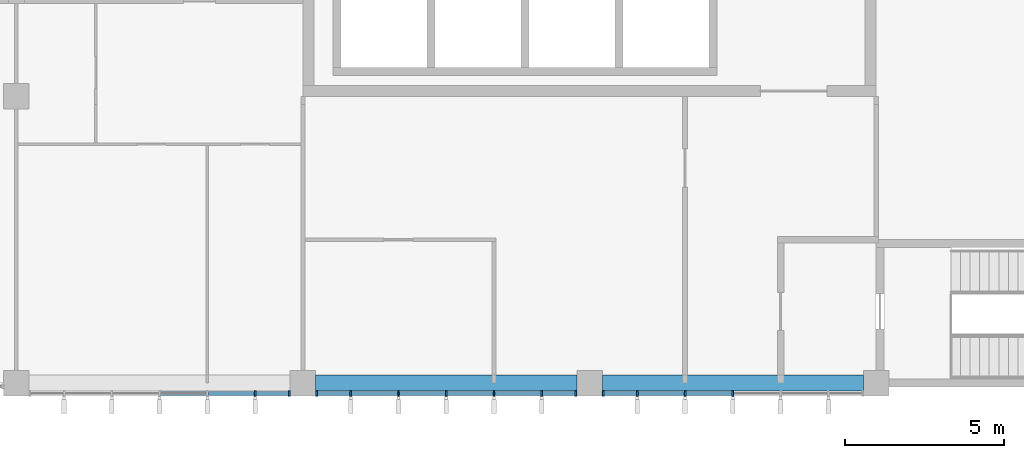
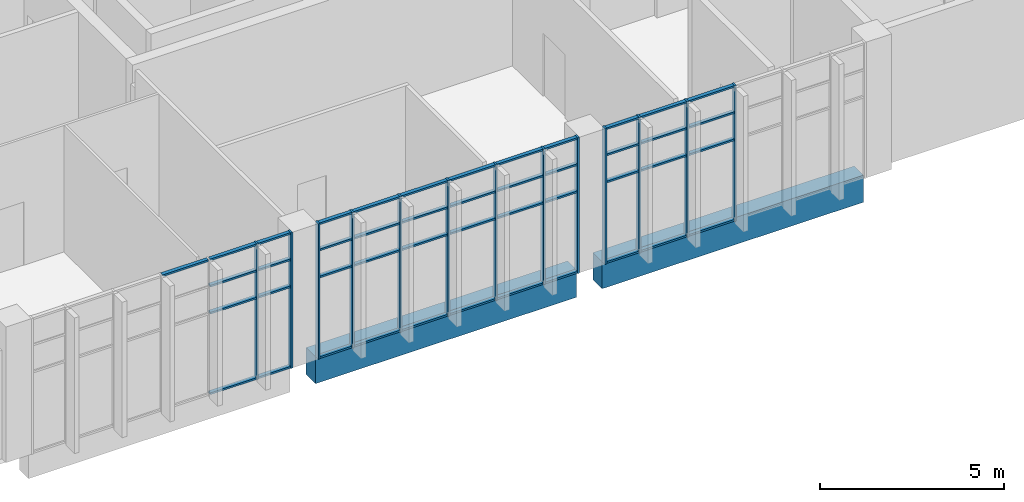
# One storey, part 3 of 19: 58 members, 2 beams, 3 elements without a shape of their own.
"""IFC4 building model written with IfcOpenShell, lengths in metres."""

import ifcopenshell
import ifcopenshell.guid

model = None  # the IFC model being written
_history = None  # IfcOwnerHistory: only IFC2X3 demands one
_inside = {}  # id of a spatial element -> (the spatial element, [elements in it])
_under = {}  # id of a project, library or spatial element -> (it, [spatial elements below it])
_declared = {}  # id of a project -> (the project, [libraries it declares])
_typed = {}  # id of a type object -> (the type object, [elements of that type])
_made_of = {}  # id of a material, layer set ... -> (it, [elements and type objects made of it])


def new_model(schema):
    """Start an empty IFC model of exactly this schema.

    Asked for "IFC4X3", IfcOpenShell would pick the latest addendum, in which some entities
    have other attributes; the version numbers below select the first issue.
    IFC2X3 requires an IfcOwnerHistory on every rooted entity: one is made here for all.
    """
    global model, _history
    if schema == "IFC4X3":
        model = ifcopenshell.file(schema_version=(4, 3, 0, 0))
    else:
        model = ifcopenshell.file(schema=schema)
    _inside.clear()
    _under.clear()
    _declared.clear()
    _typed.clear()
    _made_of.clear()
    _history = None
    if model.schema == "IFC2X3":
        org = make("IfcOrganization", Name="unknown")
        user = make(
            "IfcPersonAndOrganization",
            ThePerson=make("IfcPerson", FamilyName="unknown"),
            TheOrganization=org,
        )
        app = make(
            "IfcApplication",
            ApplicationDeveloper=org,
            Version="unknown",
            ApplicationFullName="unknown",
            ApplicationIdentifier="unknown",
        )
        _history = make(
            "IfcOwnerHistory",
            OwningUser=user,
            OwningApplication=app,
            ChangeAction="ADDED",
            CreationDate=0,
        )
    return model


def make(cls, **values):
    """One entity of the class cls with the attributes given. An attribute that is None is left unset."""
    return model.create_entity(
        cls, **{name: value for name, value in values.items() if value is not None}
    )


def rooted(cls, **values):
    """An entity with a GlobalId (a new one), such as an element, a storey or a relation."""
    return make(cls, GlobalId=ifcopenshell.guid.new(), OwnerHistory=_history, **values)


def si_unit(unit_type, name, prefix=None):
    """IfcSIUnit, for example si_unit("LENGTHUNIT", "METRE", prefix="MILLI")."""
    return make("IfcSIUnit", UnitType=unit_type, Prefix=prefix, Name=name)


def assignment(units):
    """IfcUnitAssignment: the units of a project."""
    return None if units is None else make("IfcUnitAssignment", Units=units)


def point(xyz):
    """IfcCartesianPoint."""
    return None if xyz is None else make("IfcCartesianPoint", Coordinates=xyz)


def direction(xyz):
    """IfcDirection."""
    return None if xyz is None else make("IfcDirection", DirectionRatios=xyz)


def frame(location, z_axis=None, x_axis=None):
    """IfcAxis2Placement3D, a coordinate frame: its origin and axes. An axis left out is left unset."""
    return make(
        "IfcAxis2Placement3D",
        Location=point(location),
        Axis=direction(z_axis),
        RefDirection=direction(x_axis),
    )


def frame_2d(location, x_axis=None):
    """IfcAxis2Placement2D, a coordinate frame in the plane: its origin and x axis."""
    return make(
        "IfcAxis2Placement2D", Location=point(location), RefDirection=direction(x_axis)
    )


def origin():
    """The frame at (0, 0, 0) with its axes left unset."""
    return frame((0.0, 0.0, 0.0))


def origin_2d():
    """The frame at (0, 0) in the plane with its x axis left unset."""
    return frame_2d((0.0, 0.0))


def place(relative_to, where):
    """IfcLocalPlacement: puts the frame where relative to a parent placement (None: the world)."""
    return make(
        "IfcLocalPlacement", PlacementRelTo=relative_to, RelativePlacement=where
    )


def context(
    kind, dimensions, precision=None, world=None, true_north=None, identifier=None
):
    """IfcGeometricRepresentationContext, for example the 3D "Model" context."""
    return make(
        "IfcGeometricRepresentationContext",
        ContextIdentifier=identifier,
        ContextType=kind,
        CoordinateSpaceDimension=dimensions,
        Precision=precision,
        WorldCoordinateSystem=world,
        TrueNorth=true_north,
    )


def subcontext(parent, identifier, kind, view, scale=None):
    """IfcGeometricRepresentationSubContext, for example "Body" below "Model"."""
    return make(
        "IfcGeometricRepresentationSubContext",
        ContextIdentifier=identifier,
        ContextType=kind,
        ParentContext=parent,
        TargetScale=scale,
        TargetView=view,
    )


def project(units=None, contexts=None):
    """IfcProject with its units and contexts."""
    return rooted(
        "IfcProject",
        Name="project",
        RepresentationContexts=contexts,
        UnitsInContext=assignment(units),
    )


def spatial(cls, under=None, at=None, **own):
    """A site, building, storey or space (cls), placed at a placement, below another one or the project."""
    s = rooted(cls, ObjectPlacement=at, **own)
    if under is not None:
        _under.setdefault(under.id(), (under, []))[1].append(s)
    return s


def profile(cls, at=None, kind="AREA", **sizes):
    """A parametric profile (cls). Its sizes go by their IFC names, for example OverallWidth=200.0."""
    return make(cls, ProfileType=kind, Position=at, **sizes)


def rectangle(**sizes):
    """IfcRectangleProfileDef."""
    return profile("IfcRectangleProfileDef", **sizes)


def extrude(swept, where, along, depth):
    """IfcExtrudedAreaSolid: the profile swept, set in the frame where, extruded along a direction by depth."""
    return make(
        "IfcExtrudedAreaSolid",
        SweptArea=swept,
        Position=where,
        ExtrudedDirection=direction(along),
        Depth=depth,
    )


def shape(context_of_items, identifier, shape_type, items):
    """IfcShapeRepresentation: the items that make up one representation, for example the "Body"."""
    return make(
        "IfcShapeRepresentation",
        ContextOfItems=context_of_items,
        RepresentationIdentifier=identifier,
        RepresentationType=shape_type,
        Items=items,
    )


def material(Name=None, Category=None):
    """IfcMaterial."""
    return make("IfcMaterial", Name=Name, Category=Category)


def layer(
    of_material, thickness, ventilated=None, Name=None, Category=None, Priority=None
):
    """IfcMaterialLayer: one layer of a wall or slab, of a material (None: an air gap)."""
    return make(
        "IfcMaterialLayer",
        Material=of_material,
        LayerThickness=thickness,
        IsVentilated=ventilated,
        Name=Name,
        Category=Category,
        Priority=Priority,
    )


def layer_set(layers, Name=None):
    """IfcMaterialLayerSet."""
    return make("IfcMaterialLayerSet", MaterialLayers=layers, LayerSetName=Name)


def material_profile(
    of_material, cross_section, Name=None, Category=None, Priority=None
):
    """IfcMaterialProfile: a cross section and its material."""
    return make(
        "IfcMaterialProfile",
        Name=Name,
        Material=of_material,
        Profile=cross_section,
        Priority=Priority,
        Category=Category,
    )


def profile_set(profiles, Name=None, composite=None):
    """IfcMaterialProfileSet."""
    return make(
        "IfcMaterialProfileSet",
        Name=Name,
        MaterialProfiles=profiles,
        CompositeProfile=composite,
    )


def made_of(thing, what):
    """Note that an element or type object is made of a material, layer set ...; save() writes the relation."""
    if what is not None:
        _made_of.setdefault(what.id(), (what, []))[1].append(thing)
    return thing


def type_object(cls, material=None, **own):
    """A type object (cls), such as IfcWallType, which elements share."""
    return made_of(rooted(cls, **own), material)


def element(
    cls,
    number,
    at=None,
    inside=None,
    cuts=None,
    type_object=None,
    material=None,
    context=None,
    identifier="Body",
    shape_type=None,
    held_by="IfcProductDefinitionShape",
    body=None,
    shapes=None,
    **own,
):
    """One element of the class cls, such as IfcWall. Its Tag is "e" and its number.

    at: its placement. inside: the storey or other place that contains it. cuts: it is an
    opening in that element (IfcRelVoidsElement). A single representation is given by context,
    identifier, shape_type and body (its items); several are given by shapes. held_by: the class
    of the entity that holds the representations. save() writes the other relations.
    """
    e = rooted(cls, Tag="e%d" % number, ObjectPlacement=at, **own)
    if body is not None:
        shapes = [shape(context, identifier, shape_type, body)]
    if shapes is not None:
        e.Representation = make(held_by, Representations=shapes)
    if inside is not None:
        _inside.setdefault(inside.id(), (inside, []))[1].append(e)
    if cuts is not None:
        rooted(
            "IfcRelVoidsElement", RelatingBuildingElement=cuts, RelatedOpeningElement=e
        )
    if type_object is not None:
        _typed.setdefault(type_object.id(), (type_object, []))[1].append(e)
    return made_of(e, material)


def aggregate(whole, parts):
    """IfcRelAggregates: a whole, such as a stair, and the parts it consists of."""
    return rooted("IfcRelAggregates", RelatingObject=whole, RelatedObjects=parts)


def save(model, path):
    """Write the relations noted so far, then the file.

    IfcRelAggregates (storeys below a building ...), IfcRelContainedInSpatialStructure (elements
    in a storey), IfcRelDefinesByType, IfcRelAssociatesMaterial and IfcRelDeclares: one each for
    every whole, place, type object, material and project.
    """
    for whole, parts in _under.values():
        aggregate(whole, parts)
    for where, things in _inside.values():
        rooted(
            "IfcRelContainedInSpatialStructure",
            RelatedElements=things,
            RelatingStructure=where,
        )
    for kind, things in _typed.values():
        rooted("IfcRelDefinesByType", RelatedObjects=things, RelatingType=kind)
    for what, things in _made_of.values():
        rooted("IfcRelAssociatesMaterial", RelatedObjects=things, RelatingMaterial=what)
    for by, libraries in _declared.values():
        rooted("IfcRelDeclares", RelatingContext=by, RelatedDefinitions=libraries)
    model.write(path)


model = new_model("IFC4")

# Units and contexts
model_context = context("Model", 3, precision=1e-05, world=origin(), true_north=direction((0.0, 1.0)))
body_context = subcontext(model_context, "Body", "Model", "MODEL_VIEW")
ifc_project = project(units=[si_unit("LENGTHUNIT", "METRE"), si_unit("AREAUNIT", "SQUARE_METRE"), si_unit("VOLUMEUNIT", "CUBIC_METRE"), si_unit("PLANEANGLEUNIT", "RADIAN"), si_unit("MASSUNIT", "GRAM", prefix="KILO")], contexts=[model_context])

# Site, building, storey
site_placement = place(None, origin())
site = spatial("IfcSite", under=ifc_project, at=site_placement, CompositionType="ELEMENT")
building_placement = place(site_placement, origin())
building = spatial("IfcBuilding", under=site, at=building_placement, Name="Guidao Yard Department Store", CompositionType="ELEMENT")
storey_placement = place(building_placement, frame((0.0, 0.0, 33.0)))
storey = spatial("IfcBuildingStorey", under=building, at=storey_placement, Name="L07", CompositionType="ELEMENT", Elevation=33.0)

# Curtain wall, members
ifc_material_1 = material(Name="Aluminium and glass", Category="aluminium")
ifc_layer = layer(ifc_material_1, 0.159912109375)
ifc_layer_set = layer_set([ifc_layer], Name="Unitised curtain wall CW4 1500 module")
curtain_wall_type = type_object("IfcCurtainWallType", Name="Unitised curtain wall CW4 1500 module", PredefinedType="NOTDEFINED", material=ifc_layer_set)
curtain_wall_1_placement = place(storey_placement, origin())
curtain_wall_1 = element("IfcCurtainWall", 1, at=curtain_wall_1_placement, inside=storey, type_object=curtain_wall_type, Name="Unitised curtain wall", PredefinedType="NOTDEFINED")
ifc_material_2 = material(Name="Aluminium 6063-T5", Category="aluminium")
ifc_material_profile_1 = material_profile(ifc_material_2, rectangle(XDim=0.06005859375, YDim=0.159912109375, at=origin_2d()), Name="Mullion M1 60 x 160 aluminium pressure plate")
ifc_profile_set_1 = profile_set([ifc_material_profile_1], Name="Aluminium 6063-T5")
member_type_1 = type_object("IfcMemberType", Name="Mullion M1 60 x 160 aluminium pressure plate", PredefinedType="MULLION", material=ifc_profile_set_1)
member_1_placement = place(storey_placement, frame((142.5, -0.330078125, 0.0), z_axis=(0.0, 0.0, 1.0), x_axis=(-1.0, 0.0, 0.0)))
member_1 = element("IfcMember", 2, at=member_1_placement, type_object=member_type_1, Name="CW-OW-L07-02 mullion 6", PredefinedType="MULLION", context=body_context, shape_type="SweptSolid", body=[
    extrude(rectangle(XDim=0.06005859375, YDim=0.159912109375, at=origin_2d()), origin(), (0.0, 0.0, 1.0), 4.5),
])
member_2_placement = place(storey_placement, frame((143.570068359375, -0.330078125, 0.0), z_axis=(0.0, 0.0, 1.0), x_axis=(-1.0, 0.0, 0.0)))
member_2 = element("IfcMember", 3, at=member_2_placement, type_object=member_type_1, Name="CW-OW-L07-02 mullion 7", PredefinedType="MULLION", context=body_context, shape_type="SweptSolid", body=[
    extrude(rectangle(XDim=0.06005859375, YDim=0.159912109375, at=origin_2d()), origin(), (0.0, 0.0, 1.0), 4.5),
])

curtain_wall_2_placement = place(storey_placement, origin())
curtain_wall_2 = element("IfcCurtainWall", 4, at=curtain_wall_2_placement, inside=storey, type_object=curtain_wall_type, Name="Unitised curtain wall", PredefinedType="NOTDEFINED")
member_3_placement = place(storey_placement, frame((144.429931640625, -0.330078125, 0.0), z_axis=(0.0, 0.0, 1.0), x_axis=(-1.0, 0.0, 0.0)))
member_3 = element("IfcMember", 5, at=member_3_placement, type_object=member_type_1, Name="CW-OW-L07-03 mullion 1", PredefinedType="MULLION", context=body_context, shape_type="SweptSolid", body=[
    extrude(rectangle(XDim=0.06005859375, YDim=0.159912109375, at=origin_2d()), origin(), (0.0, 0.0, 1.0), 4.5),
])
member_4_placement = place(storey_placement, frame((145.5, -0.330078125, 0.0), z_axis=(0.0, 0.0, 1.0), x_axis=(-1.0, 0.0, 0.0)))
member_4 = element("IfcMember", 6, at=member_4_placement, type_object=member_type_1, Name="CW-OW-L07-03 mullion 2", PredefinedType="MULLION", context=body_context, shape_type="SweptSolid", body=[
    extrude(rectangle(XDim=0.06005859375, YDim=0.159912109375, at=origin_2d()), origin(), (0.0, 0.0, 1.0), 4.5),
])
member_5_placement = place(storey_placement, frame((147.0, -0.330078125, 0.0), z_axis=(0.0, 0.0, 1.0), x_axis=(-1.0, 0.0, 0.0)))
member_5 = element("IfcMember", 7, at=member_5_placement, type_object=member_type_1, Name="CW-OW-L07-03 mullion 3", PredefinedType="MULLION", context=body_context, shape_type="SweptSolid", body=[
    extrude(rectangle(XDim=0.06005859375, YDim=0.159912109375, at=origin_2d()), origin(), (0.0, 0.0, 1.0), 4.5),
])
member_6_placement = place(storey_placement, frame((148.5, -0.330078125, 0.0), z_axis=(0.0, 0.0, 1.0), x_axis=(-1.0, 0.0, 0.0)))
member_6 = element("IfcMember", 8, at=member_6_placement, type_object=member_type_1, Name="CW-OW-L07-03 mullion 4", PredefinedType="MULLION", context=body_context, shape_type="SweptSolid", body=[
    extrude(rectangle(XDim=0.06005859375, YDim=0.159912109375, at=origin_2d()), origin(), (0.0, 0.0, 1.0), 4.5),
])
member_7_placement = place(storey_placement, frame((150.0, -0.330078125, 0.0), z_axis=(0.0, 0.0, 1.0), x_axis=(-1.0, 0.0, 0.0)))
member_7 = element("IfcMember", 9, at=member_7_placement, type_object=member_type_1, Name="CW-OW-L07-03 mullion 5", PredefinedType="MULLION", context=body_context, shape_type="SweptSolid", body=[
    extrude(rectangle(XDim=0.06005859375, YDim=0.159912109375, at=origin_2d()), origin(), (0.0, 0.0, 1.0), 4.5),
])
member_8_placement = place(storey_placement, frame((151.5, -0.330078125, 0.0), z_axis=(0.0, 0.0, 1.0), x_axis=(-1.0, 0.0, 0.0)))
member_8 = element("IfcMember", 10, at=member_8_placement, type_object=member_type_1, Name="CW-OW-L07-03 mullion 6", PredefinedType="MULLION", context=body_context, shape_type="SweptSolid", body=[
    extrude(rectangle(XDim=0.06005859375, YDim=0.159912109375, at=origin_2d()), origin(), (0.0, 0.0, 1.0), 4.5),
])
member_9_placement = place(storey_placement, frame((152.570068359375, -0.330078125, 0.0), z_axis=(0.0, 0.0, 1.0), x_axis=(-1.0, 0.0, 0.0)))
member_9 = element("IfcMember", 11, at=member_9_placement, type_object=member_type_1, Name="CW-OW-L07-03 mullion 7", PredefinedType="MULLION", context=body_context, shape_type="SweptSolid", body=[
    extrude(rectangle(XDim=0.06005859375, YDim=0.159912109375, at=origin_2d()), origin(), (0.0, 0.0, 1.0), 4.5),
])

curtain_wall_3_placement = place(storey_placement, origin())
curtain_wall_3 = element("IfcCurtainWall", 12, at=curtain_wall_3_placement, inside=storey, type_object=curtain_wall_type, Name="Unitised curtain wall", PredefinedType="NOTDEFINED")
member_10_placement = place(storey_placement, frame((153.429931640625, -0.330078125, 0.0), z_axis=(0.0, 0.0, 1.0), x_axis=(-1.0, 0.0, 0.0)))
member_10 = element("IfcMember", 13, at=member_10_placement, type_object=member_type_1, Name="CW-OW-L07-04 mullion 1", PredefinedType="MULLION", context=body_context, shape_type="SweptSolid", body=[
    extrude(rectangle(XDim=0.06005859375, YDim=0.159912109375, at=origin_2d()), origin(), (0.0, 0.0, 1.0), 4.5),
])
member_11_placement = place(storey_placement, frame((154.5, -0.330078125, 0.0), z_axis=(0.0, 0.0, 1.0), x_axis=(-1.0, 0.0, 0.0)))
member_11 = element("IfcMember", 14, at=member_11_placement, type_object=member_type_1, Name="CW-OW-L07-04 mullion 2", PredefinedType="MULLION", context=body_context, shape_type="SweptSolid", body=[
    extrude(rectangle(XDim=0.06005859375, YDim=0.159912109375, at=origin_2d()), origin(), (0.0, 0.0, 1.0), 4.5),
])
member_12_placement = place(storey_placement, frame((156.0, -0.330078125, 0.0), z_axis=(0.0, 0.0, 1.0), x_axis=(-1.0, 0.0, 0.0)))
member_12 = element("IfcMember", 15, at=member_12_placement, type_object=member_type_1, Name="CW-OW-L07-04 mullion 3", PredefinedType="MULLION", context=body_context, shape_type="SweptSolid", body=[
    extrude(rectangle(XDim=0.06005859375, YDim=0.159912109375, at=origin_2d()), origin(), (0.0, 0.0, 1.0), 4.5),
])
member_13_placement = place(storey_placement, frame((157.5, -0.330078125, 0.0), z_axis=(0.0, 0.0, 1.0), x_axis=(-1.0, 0.0, 0.0)))
member_13 = element("IfcMember", 16, at=member_13_placement, type_object=member_type_1, Name="CW-OW-L07-04 mullion 4", PredefinedType="MULLION", context=body_context, shape_type="SweptSolid", body=[
    extrude(rectangle(XDim=0.06005859375, YDim=0.159912109375, at=origin_2d()), origin(), (0.0, 0.0, 1.0), 4.5),
])

# Beams
ifc_material_3 = material(Name="Concrete C40", Category="concrete")
ifc_material_profile_2 = material_profile(ifc_material_3, rectangle(XDim=0.5, YDim=0.89990234375, at=origin_2d()), Name="Spandrel beam 500 x 900 C40")
ifc_profile_set_2 = profile_set([ifc_material_profile_2], Name="Concrete C40")
beam_type = type_object("IfcBeamType", Name="Spandrel beam 500 x 900 C40", PredefinedType="SPANDREL", material=ifc_profile_set_2)
for number, where, z_axis, x_axis, name in (
    (17, (144.39990234375, 0.0, -0.449951171875), (1.0, 0.0, 0.0), (0.0, 1.0, 0.0), "Beam FB02"),
    (18, (153.39990234375, 0.0, -0.449951171875), (1.0, 0.0, 0.0), (0.0, 1.0, 0.0), "Beam FB03"),
):
    element("IfcBeam", number, at=place(storey_placement, frame(where, z_axis=z_axis, x_axis=x_axis)), inside=storey, type_object=beam_type, Name=name, PredefinedType="SPANDREL", context=body_context, shape_type="SweptSolid", body=[
        extrude(rectangle(XDim=0.5, YDim=0.89990234375, at=origin_2d()), origin(), (0.0, 0.0, 1.0), 8.2001953125),
    ])

# Member
ifc_material_4 = material(Name="Aluminium 6063-T5", Category="aluminium")
ifc_material_profile_3 = material_profile(ifc_material_4, rectangle(XDim=0.1201171875, YDim=0.06005859375, at=origin_2d()), Name="Transom T1 60 x 120 aluminium pressure plate")
ifc_profile_set_3 = profile_set([ifc_material_profile_3], Name="Aluminium 6063-T5")
member_type_2 = type_object("IfcMemberType", Name="Transom T1 60 x 120 aluminium pressure plate", PredefinedType="USERDEFINED", material=ifc_profile_set_3)
member_14_placement = place(storey_placement, frame((140.969970703125, -0.330078125, 4.469970703125), z_axis=(-1.0, 0.0, 0.0), x_axis=(0.0, -1.0, 0.0)))
member_14 = element("IfcMember", 19, at=member_14_placement, type_object=member_type_2, Name="CW-OW-L07-02 transom 4.4", ObjectType="TRANSOM", PredefinedType="USERDEFINED", context=body_context, shape_type="SweptSolid", body=[
    extrude(rectangle(XDim=0.1201171875, YDim=0.06005859375, at=origin_2d()), origin(), (0.0, 0.0, 1.0), 1.43994140625),
])

member_15_placement = place(storey_placement, frame((142.469970703125, -0.330078125, 0.030029296875), z_axis=(-1.0, 0.0, 0.0), x_axis=(0.0, -1.0, 0.0)))
member_15 = element("IfcMember", 20, at=member_15_placement, type_object=member_type_2, Name="CW-OW-L07-02 transom 5.1", ObjectType="TRANSOM", PredefinedType="USERDEFINED", context=body_context, shape_type="SweptSolid", body=[
    extrude(rectangle(XDim=0.1201171875, YDim=0.06005859375, at=origin_2d()), origin(), (0.0, 0.0, 1.0), 1.43994140625),
])

member_16_placement = place(storey_placement, frame((142.469970703125, -0.330078125, 2.699951171875), z_axis=(-1.0, 0.0, 0.0), x_axis=(0.0, -1.0, 0.0)))
member_16 = element("IfcMember", 21, at=member_16_placement, type_object=member_type_2, Name="CW-OW-L07-02 transom 5.2", ObjectType="TRANSOM", PredefinedType="USERDEFINED", context=body_context, shape_type="SweptSolid", body=[
    extrude(rectangle(XDim=0.1201171875, YDim=0.06005859375, at=origin_2d()), origin(), (0.0, 0.0, 1.0), 1.43994140625),
])

member_17_placement = place(storey_placement, frame((142.469970703125, -0.330078125, 3.60009765625), z_axis=(-1.0, 0.0, 0.0), x_axis=(0.0, -1.0, 0.0)))
member_17 = element("IfcMember", 22, at=member_17_placement, type_object=member_type_2, Name="CW-OW-L07-02 transom 5.3", ObjectType="TRANSOM", PredefinedType="USERDEFINED", context=body_context, shape_type="SweptSolid", body=[
    extrude(rectangle(XDim=0.1201171875, YDim=0.06005859375, at=origin_2d()), origin(), (0.0, 0.0, 1.0), 1.43994140625),
])

member_18_placement = place(storey_placement, frame((142.469970703125, -0.330078125, 4.469970703125), z_axis=(-1.0, 0.0, 0.0), x_axis=(0.0, -1.0, 0.0)))
member_18 = element("IfcMember", 23, at=member_18_placement, type_object=member_type_2, Name="CW-OW-L07-02 transom 5.4", ObjectType="TRANSOM", PredefinedType="USERDEFINED", context=body_context, shape_type="SweptSolid", body=[
    extrude(rectangle(XDim=0.1201171875, YDim=0.06005859375, at=origin_2d()), origin(), (0.0, 0.0, 1.0), 1.43994140625),
])

member_19_placement = place(storey_placement, frame((143.5400390625, -0.330078125, 0.030029296875), z_axis=(-1.0, 0.0, 0.0), x_axis=(0.0, -1.0, 0.0)))
member_19 = element("IfcMember", 24, at=member_19_placement, type_object=member_type_2, Name="CW-OW-L07-02 transom 6.1", ObjectType="TRANSOM", PredefinedType="USERDEFINED", context=body_context, shape_type="SweptSolid", body=[
    extrude(rectangle(XDim=0.1201171875, YDim=0.06005859375, at=origin_2d()), origin(), (0.0, 0.0, 1.0), 1.010009765625),
])

member_20_placement = place(storey_placement, frame((143.5400390625, -0.330078125, 2.699951171875), z_axis=(-1.0, 0.0, 0.0), x_axis=(0.0, -1.0, 0.0)))
member_20 = element("IfcMember", 25, at=member_20_placement, type_object=member_type_2, Name="CW-OW-L07-02 transom 6.2", ObjectType="TRANSOM", PredefinedType="USERDEFINED", context=body_context, shape_type="SweptSolid", body=[
    extrude(rectangle(XDim=0.1201171875, YDim=0.06005859375, at=origin_2d()), origin(), (0.0, 0.0, 1.0), 1.010009765625),
])

member_21_placement = place(storey_placement, frame((143.5400390625, -0.330078125, 3.60009765625), z_axis=(-1.0, 0.0, 0.0), x_axis=(0.0, -1.0, 0.0)))
member_21 = element("IfcMember", 26, at=member_21_placement, type_object=member_type_2, Name="CW-OW-L07-02 transom 6.3", ObjectType="TRANSOM", PredefinedType="USERDEFINED", context=body_context, shape_type="SweptSolid", body=[
    extrude(rectangle(XDim=0.1201171875, YDim=0.06005859375, at=origin_2d()), origin(), (0.0, 0.0, 1.0), 1.010009765625),
])

member_22_placement = place(storey_placement, frame((143.5400390625, -0.330078125, 4.469970703125), z_axis=(-1.0, 0.0, 0.0), x_axis=(0.0, -1.0, 0.0)))
member_22 = element("IfcMember", 27, at=member_22_placement, type_object=member_type_2, Name="CW-OW-L07-02 transom 6.4", ObjectType="TRANSOM", PredefinedType="USERDEFINED", context=body_context, shape_type="SweptSolid", body=[
    extrude(rectangle(XDim=0.1201171875, YDim=0.06005859375, at=origin_2d()), origin(), (0.0, 0.0, 1.0), 1.010009765625),
])

aggregate(curtain_wall_1, [member_1, member_2, member_14, member_15, member_16, member_17, member_18, member_19, member_20, member_21, member_22])

member_23_placement = place(storey_placement, frame((145.469970703125, -0.330078125, 0.030029296875), z_axis=(-1.0, 0.0, 0.0), x_axis=(0.0, -1.0, 0.0)))
member_23 = element("IfcMember", 28, at=member_23_placement, type_object=member_type_2, Name="CW-OW-L07-03 transom 1.1", ObjectType="TRANSOM", PredefinedType="USERDEFINED", context=body_context, shape_type="SweptSolid", body=[
    extrude(rectangle(XDim=0.1201171875, YDim=0.06005859375, at=origin_2d()), origin(), (0.0, 0.0, 1.0), 1.010009765625),
])

member_24_placement = place(storey_placement, frame((145.469970703125, -0.330078125, 2.699951171875), z_axis=(-1.0, 0.0, 0.0), x_axis=(0.0, -1.0, 0.0)))
member_24 = element("IfcMember", 29, at=member_24_placement, type_object=member_type_2, Name="CW-OW-L07-03 transom 1.2", ObjectType="TRANSOM", PredefinedType="USERDEFINED", context=body_context, shape_type="SweptSolid", body=[
    extrude(rectangle(XDim=0.1201171875, YDim=0.06005859375, at=origin_2d()), origin(), (0.0, 0.0, 1.0), 1.010009765625),
])

member_25_placement = place(storey_placement, frame((145.469970703125, -0.330078125, 3.60009765625), z_axis=(-1.0, 0.0, 0.0), x_axis=(0.0, -1.0, 0.0)))
member_25 = element("IfcMember", 30, at=member_25_placement, type_object=member_type_2, Name="CW-OW-L07-03 transom 1.3", ObjectType="TRANSOM", PredefinedType="USERDEFINED", context=body_context, shape_type="SweptSolid", body=[
    extrude(rectangle(XDim=0.1201171875, YDim=0.06005859375, at=origin_2d()), origin(), (0.0, 0.0, 1.0), 1.010009765625),
])

member_26_placement = place(storey_placement, frame((145.469970703125, -0.330078125, 4.469970703125), z_axis=(-1.0, 0.0, 0.0), x_axis=(0.0, -1.0, 0.0)))
member_26 = element("IfcMember", 31, at=member_26_placement, type_object=member_type_2, Name="CW-OW-L07-03 transom 1.4", ObjectType="TRANSOM", PredefinedType="USERDEFINED", context=body_context, shape_type="SweptSolid", body=[
    extrude(rectangle(XDim=0.1201171875, YDim=0.06005859375, at=origin_2d()), origin(), (0.0, 0.0, 1.0), 1.010009765625),
])

member_27_placement = place(storey_placement, frame((146.969970703125, -0.330078125, 0.030029296875), z_axis=(-1.0, 0.0, 0.0), x_axis=(0.0, -1.0, 0.0)))
member_27 = element("IfcMember", 32, at=member_27_placement, type_object=member_type_2, Name="CW-OW-L07-03 transom 2.1", ObjectType="TRANSOM", PredefinedType="USERDEFINED", context=body_context, shape_type="SweptSolid", body=[
    extrude(rectangle(XDim=0.1201171875, YDim=0.06005859375, at=origin_2d()), origin(), (0.0, 0.0, 1.0), 1.43994140625),
])

member_28_placement = place(storey_placement, frame((146.969970703125, -0.330078125, 2.699951171875), z_axis=(-1.0, 0.0, 0.0), x_axis=(0.0, -1.0, 0.0)))
member_28 = element("IfcMember", 33, at=member_28_placement, type_object=member_type_2, Name="CW-OW-L07-03 transom 2.2", ObjectType="TRANSOM", PredefinedType="USERDEFINED", context=body_context, shape_type="SweptSolid", body=[
    extrude(rectangle(XDim=0.1201171875, YDim=0.06005859375, at=origin_2d()), origin(), (0.0, 0.0, 1.0), 1.43994140625),
])

member_29_placement = place(storey_placement, frame((146.969970703125, -0.330078125, 3.60009765625), z_axis=(-1.0, 0.0, 0.0), x_axis=(0.0, -1.0, 0.0)))
member_29 = element("IfcMember", 34, at=member_29_placement, type_object=member_type_2, Name="CW-OW-L07-03 transom 2.3", ObjectType="TRANSOM", PredefinedType="USERDEFINED", context=body_context, shape_type="SweptSolid", body=[
    extrude(rectangle(XDim=0.1201171875, YDim=0.06005859375, at=origin_2d()), origin(), (0.0, 0.0, 1.0), 1.43994140625),
])

member_30_placement = place(storey_placement, frame((146.969970703125, -0.330078125, 4.469970703125), z_axis=(-1.0, 0.0, 0.0), x_axis=(0.0, -1.0, 0.0)))
member_30 = element("IfcMember", 35, at=member_30_placement, type_object=member_type_2, Name="CW-OW-L07-03 transom 2.4", ObjectType="TRANSOM", PredefinedType="USERDEFINED", context=body_context, shape_type="SweptSolid", body=[
    extrude(rectangle(XDim=0.1201171875, YDim=0.06005859375, at=origin_2d()), origin(), (0.0, 0.0, 1.0), 1.43994140625),
])

member_31_placement = place(storey_placement, frame((148.469970703125, -0.330078125, 0.030029296875), z_axis=(-1.0, 0.0, 0.0), x_axis=(0.0, -1.0, 0.0)))
member_31 = element("IfcMember", 36, at=member_31_placement, type_object=member_type_2, Name="CW-OW-L07-03 transom 3.1", ObjectType="TRANSOM", PredefinedType="USERDEFINED", context=body_context, shape_type="SweptSolid", body=[
    extrude(rectangle(XDim=0.1201171875, YDim=0.06005859375, at=origin_2d()), origin(), (0.0, 0.0, 1.0), 1.43994140625),
])

member_32_placement = place(storey_placement, frame((148.469970703125, -0.330078125, 2.699951171875), z_axis=(-1.0, 0.0, 0.0), x_axis=(0.0, -1.0, 0.0)))
member_32 = element("IfcMember", 37, at=member_32_placement, type_object=member_type_2, Name="CW-OW-L07-03 transom 3.2", ObjectType="TRANSOM", PredefinedType="USERDEFINED", context=body_context, shape_type="SweptSolid", body=[
    extrude(rectangle(XDim=0.1201171875, YDim=0.06005859375, at=origin_2d()), origin(), (0.0, 0.0, 1.0), 1.43994140625),
])

member_33_placement = place(storey_placement, frame((148.469970703125, -0.330078125, 3.60009765625), z_axis=(-1.0, 0.0, 0.0), x_axis=(0.0, -1.0, 0.0)))
member_33 = element("IfcMember", 38, at=member_33_placement, type_object=member_type_2, Name="CW-OW-L07-03 transom 3.3", ObjectType="TRANSOM", PredefinedType="USERDEFINED", context=body_context, shape_type="SweptSolid", body=[
    extrude(rectangle(XDim=0.1201171875, YDim=0.06005859375, at=origin_2d()), origin(), (0.0, 0.0, 1.0), 1.43994140625),
])

member_34_placement = place(storey_placement, frame((148.469970703125, -0.330078125, 4.469970703125), z_axis=(-1.0, 0.0, 0.0), x_axis=(0.0, -1.0, 0.0)))
member_34 = element("IfcMember", 39, at=member_34_placement, type_object=member_type_2, Name="CW-OW-L07-03 transom 3.4", ObjectType="TRANSOM", PredefinedType="USERDEFINED", context=body_context, shape_type="SweptSolid", body=[
    extrude(rectangle(XDim=0.1201171875, YDim=0.06005859375, at=origin_2d()), origin(), (0.0, 0.0, 1.0), 1.43994140625),
])

member_35_placement = place(storey_placement, frame((149.969970703125, -0.330078125, 0.030029296875), z_axis=(-1.0, 0.0, 0.0), x_axis=(0.0, -1.0, 0.0)))
member_35 = element("IfcMember", 40, at=member_35_placement, type_object=member_type_2, Name="CW-OW-L07-03 transom 4.1", ObjectType="TRANSOM", PredefinedType="USERDEFINED", context=body_context, shape_type="SweptSolid", body=[
    extrude(rectangle(XDim=0.1201171875, YDim=0.06005859375, at=origin_2d()), origin(), (0.0, 0.0, 1.0), 1.43994140625),
])

member_36_placement = place(storey_placement, frame((149.969970703125, -0.330078125, 2.699951171875), z_axis=(-1.0, 0.0, 0.0), x_axis=(0.0, -1.0, 0.0)))
member_36 = element("IfcMember", 41, at=member_36_placement, type_object=member_type_2, Name="CW-OW-L07-03 transom 4.2", ObjectType="TRANSOM", PredefinedType="USERDEFINED", context=body_context, shape_type="SweptSolid", body=[
    extrude(rectangle(XDim=0.1201171875, YDim=0.06005859375, at=origin_2d()), origin(), (0.0, 0.0, 1.0), 1.43994140625),
])

member_37_placement = place(storey_placement, frame((149.969970703125, -0.330078125, 3.60009765625), z_axis=(-1.0, 0.0, 0.0), x_axis=(0.0, -1.0, 0.0)))
member_37 = element("IfcMember", 42, at=member_37_placement, type_object=member_type_2, Name="CW-OW-L07-03 transom 4.3", ObjectType="TRANSOM", PredefinedType="USERDEFINED", context=body_context, shape_type="SweptSolid", body=[
    extrude(rectangle(XDim=0.1201171875, YDim=0.06005859375, at=origin_2d()), origin(), (0.0, 0.0, 1.0), 1.43994140625),
])

member_38_placement = place(storey_placement, frame((149.969970703125, -0.330078125, 4.469970703125), z_axis=(-1.0, 0.0, 0.0), x_axis=(0.0, -1.0, 0.0)))
member_38 = element("IfcMember", 43, at=member_38_placement, type_object=member_type_2, Name="CW-OW-L07-03 transom 4.4", ObjectType="TRANSOM", PredefinedType="USERDEFINED", context=body_context, shape_type="SweptSolid", body=[
    extrude(rectangle(XDim=0.1201171875, YDim=0.06005859375, at=origin_2d()), origin(), (0.0, 0.0, 1.0), 1.43994140625),
])

member_39_placement = place(storey_placement, frame((151.469970703125, -0.330078125, 0.030029296875), z_axis=(-1.0, 0.0, 0.0), x_axis=(0.0, -1.0, 0.0)))
member_39 = element("IfcMember", 44, at=member_39_placement, type_object=member_type_2, Name="CW-OW-L07-03 transom 5.1", ObjectType="TRANSOM", PredefinedType="USERDEFINED", context=body_context, shape_type="SweptSolid", body=[
    extrude(rectangle(XDim=0.1201171875, YDim=0.06005859375, at=origin_2d()), origin(), (0.0, 0.0, 1.0), 1.43994140625),
])

member_40_placement = place(storey_placement, frame((151.469970703125, -0.330078125, 2.699951171875), z_axis=(-1.0, 0.0, 0.0), x_axis=(0.0, -1.0, 0.0)))
member_40 = element("IfcMember", 45, at=member_40_placement, type_object=member_type_2, Name="CW-OW-L07-03 transom 5.2", ObjectType="TRANSOM", PredefinedType="USERDEFINED", context=body_context, shape_type="SweptSolid", body=[
    extrude(rectangle(XDim=0.1201171875, YDim=0.06005859375, at=origin_2d()), origin(), (0.0, 0.0, 1.0), 1.43994140625),
])

member_41_placement = place(storey_placement, frame((151.469970703125, -0.330078125, 3.60009765625), z_axis=(-1.0, 0.0, 0.0), x_axis=(0.0, -1.0, 0.0)))
member_41 = element("IfcMember", 46, at=member_41_placement, type_object=member_type_2, Name="CW-OW-L07-03 transom 5.3", ObjectType="TRANSOM", PredefinedType="USERDEFINED", context=body_context, shape_type="SweptSolid", body=[
    extrude(rectangle(XDim=0.1201171875, YDim=0.06005859375, at=origin_2d()), origin(), (0.0, 0.0, 1.0), 1.43994140625),
])

member_42_placement = place(storey_placement, frame((151.469970703125, -0.330078125, 4.469970703125), z_axis=(-1.0, 0.0, 0.0), x_axis=(0.0, -1.0, 0.0)))
member_42 = element("IfcMember", 47, at=member_42_placement, type_object=member_type_2, Name="CW-OW-L07-03 transom 5.4", ObjectType="TRANSOM", PredefinedType="USERDEFINED", context=body_context, shape_type="SweptSolid", body=[
    extrude(rectangle(XDim=0.1201171875, YDim=0.06005859375, at=origin_2d()), origin(), (0.0, 0.0, 1.0), 1.43994140625),
])

member_43_placement = place(storey_placement, frame((152.5400390625, -0.330078125, 0.030029296875), z_axis=(-1.0, 0.0, 0.0), x_axis=(0.0, -1.0, 0.0)))
member_43 = element("IfcMember", 48, at=member_43_placement, type_object=member_type_2, Name="CW-OW-L07-03 transom 6.1", ObjectType="TRANSOM", PredefinedType="USERDEFINED", context=body_context, shape_type="SweptSolid", body=[
    extrude(rectangle(XDim=0.1201171875, YDim=0.06005859375, at=origin_2d()), origin(), (0.0, 0.0, 1.0), 1.010009765625),
])

member_44_placement = place(storey_placement, frame((152.5400390625, -0.330078125, 2.699951171875), z_axis=(-1.0, 0.0, 0.0), x_axis=(0.0, -1.0, 0.0)))
member_44 = element("IfcMember", 49, at=member_44_placement, type_object=member_type_2, Name="CW-OW-L07-03 transom 6.2", ObjectType="TRANSOM", PredefinedType="USERDEFINED", context=body_context, shape_type="SweptSolid", body=[
    extrude(rectangle(XDim=0.1201171875, YDim=0.06005859375, at=origin_2d()), origin(), (0.0, 0.0, 1.0), 1.010009765625),
])

member_45_placement = place(storey_placement, frame((152.5400390625, -0.330078125, 3.60009765625), z_axis=(-1.0, 0.0, 0.0), x_axis=(0.0, -1.0, 0.0)))
member_45 = element("IfcMember", 50, at=member_45_placement, type_object=member_type_2, Name="CW-OW-L07-03 transom 6.3", ObjectType="TRANSOM", PredefinedType="USERDEFINED", context=body_context, shape_type="SweptSolid", body=[
    extrude(rectangle(XDim=0.1201171875, YDim=0.06005859375, at=origin_2d()), origin(), (0.0, 0.0, 1.0), 1.010009765625),
])

member_46_placement = place(storey_placement, frame((152.5400390625, -0.330078125, 4.469970703125), z_axis=(-1.0, 0.0, 0.0), x_axis=(0.0, -1.0, 0.0)))
member_46 = element("IfcMember", 51, at=member_46_placement, type_object=member_type_2, Name="CW-OW-L07-03 transom 6.4", ObjectType="TRANSOM", PredefinedType="USERDEFINED", context=body_context, shape_type="SweptSolid", body=[
    extrude(rectangle(XDim=0.1201171875, YDim=0.06005859375, at=origin_2d()), origin(), (0.0, 0.0, 1.0), 1.010009765625),
])

aggregate(curtain_wall_2, [member_3, member_4, member_5, member_6, member_7, member_8, member_9, member_23, member_24, member_25, member_26, member_27, member_28, member_29, member_30, member_31, member_32, member_33, member_34, member_35, member_36, member_37, member_38, member_39, member_40, member_41, member_42, member_43, member_44, member_45, member_46])

member_47_placement = place(storey_placement, frame((154.469970703125, -0.330078125, 0.030029296875), z_axis=(-1.0, 0.0, 0.0), x_axis=(0.0, -1.0, 0.0)))
member_47 = element("IfcMember", 52, at=member_47_placement, type_object=member_type_2, Name="CW-OW-L07-04 transom 1.1", ObjectType="TRANSOM", PredefinedType="USERDEFINED", context=body_context, shape_type="SweptSolid", body=[
    extrude(rectangle(XDim=0.1201171875, YDim=0.06005859375, at=origin_2d()), origin(), (0.0, 0.0, 1.0), 1.010009765625),
])

member_48_placement = place(storey_placement, frame((154.469970703125, -0.330078125, 2.699951171875), z_axis=(-1.0, 0.0, 0.0), x_axis=(0.0, -1.0, 0.0)))
member_48 = element("IfcMember", 53, at=member_48_placement, type_object=member_type_2, Name="CW-OW-L07-04 transom 1.2", ObjectType="TRANSOM", PredefinedType="USERDEFINED", context=body_context, shape_type="SweptSolid", body=[
    extrude(rectangle(XDim=0.1201171875, YDim=0.06005859375, at=origin_2d()), origin(), (0.0, 0.0, 1.0), 1.010009765625),
])

member_49_placement = place(storey_placement, frame((154.469970703125, -0.330078125, 3.60009765625), z_axis=(-1.0, 0.0, 0.0), x_axis=(0.0, -1.0, 0.0)))
member_49 = element("IfcMember", 54, at=member_49_placement, type_object=member_type_2, Name="CW-OW-L07-04 transom 1.3", ObjectType="TRANSOM", PredefinedType="USERDEFINED", context=body_context, shape_type="SweptSolid", body=[
    extrude(rectangle(XDim=0.1201171875, YDim=0.06005859375, at=origin_2d()), origin(), (0.0, 0.0, 1.0), 1.010009765625),
])

member_50_placement = place(storey_placement, frame((154.469970703125, -0.330078125, 4.469970703125), z_axis=(-1.0, 0.0, 0.0), x_axis=(0.0, -1.0, 0.0)))
member_50 = element("IfcMember", 55, at=member_50_placement, type_object=member_type_2, Name="CW-OW-L07-04 transom 1.4", ObjectType="TRANSOM", PredefinedType="USERDEFINED", context=body_context, shape_type="SweptSolid", body=[
    extrude(rectangle(XDim=0.1201171875, YDim=0.06005859375, at=origin_2d()), origin(), (0.0, 0.0, 1.0), 1.010009765625),
])

member_51_placement = place(storey_placement, frame((155.969970703125, -0.330078125, 0.030029296875), z_axis=(-1.0, 0.0, 0.0), x_axis=(0.0, -1.0, 0.0)))
member_51 = element("IfcMember", 56, at=member_51_placement, type_object=member_type_2, Name="CW-OW-L07-04 transom 2.1", ObjectType="TRANSOM", PredefinedType="USERDEFINED", context=body_context, shape_type="SweptSolid", body=[
    extrude(rectangle(XDim=0.1201171875, YDim=0.06005859375, at=origin_2d()), origin(), (0.0, 0.0, 1.0), 1.43994140625),
])

member_52_placement = place(storey_placement, frame((155.969970703125, -0.330078125, 2.699951171875), z_axis=(-1.0, 0.0, 0.0), x_axis=(0.0, -1.0, 0.0)))
member_52 = element("IfcMember", 57, at=member_52_placement, type_object=member_type_2, Name="CW-OW-L07-04 transom 2.2", ObjectType="TRANSOM", PredefinedType="USERDEFINED", context=body_context, shape_type="SweptSolid", body=[
    extrude(rectangle(XDim=0.1201171875, YDim=0.06005859375, at=origin_2d()), origin(), (0.0, 0.0, 1.0), 1.43994140625),
])

member_53_placement = place(storey_placement, frame((155.969970703125, -0.330078125, 3.60009765625), z_axis=(-1.0, 0.0, 0.0), x_axis=(0.0, -1.0, 0.0)))
member_53 = element("IfcMember", 58, at=member_53_placement, type_object=member_type_2, Name="CW-OW-L07-04 transom 2.3", ObjectType="TRANSOM", PredefinedType="USERDEFINED", context=body_context, shape_type="SweptSolid", body=[
    extrude(rectangle(XDim=0.1201171875, YDim=0.06005859375, at=origin_2d()), origin(), (0.0, 0.0, 1.0), 1.43994140625),
])

member_54_placement = place(storey_placement, frame((155.969970703125, -0.330078125, 4.469970703125), z_axis=(-1.0, 0.0, 0.0), x_axis=(0.0, -1.0, 0.0)))
member_54 = element("IfcMember", 59, at=member_54_placement, type_object=member_type_2, Name="CW-OW-L07-04 transom 2.4", ObjectType="TRANSOM", PredefinedType="USERDEFINED", context=body_context, shape_type="SweptSolid", body=[
    extrude(rectangle(XDim=0.1201171875, YDim=0.06005859375, at=origin_2d()), origin(), (0.0, 0.0, 1.0), 1.43994140625),
])

member_55_placement = place(storey_placement, frame((157.469970703125, -0.330078125, 0.030029296875), z_axis=(-1.0, 0.0, 0.0), x_axis=(0.0, -1.0, 0.0)))
member_55 = element("IfcMember", 60, at=member_55_placement, type_object=member_type_2, Name="CW-OW-L07-04 transom 3.1", ObjectType="TRANSOM", PredefinedType="USERDEFINED", context=body_context, shape_type="SweptSolid", body=[
    extrude(rectangle(XDim=0.1201171875, YDim=0.06005859375, at=origin_2d()), origin(), (0.0, 0.0, 1.0), 1.43994140625),
])

member_56_placement = place(storey_placement, frame((157.469970703125, -0.330078125, 2.699951171875), z_axis=(-1.0, 0.0, 0.0), x_axis=(0.0, -1.0, 0.0)))
member_56 = element("IfcMember", 61, at=member_56_placement, type_object=member_type_2, Name="CW-OW-L07-04 transom 3.2", ObjectType="TRANSOM", PredefinedType="USERDEFINED", context=body_context, shape_type="SweptSolid", body=[
    extrude(rectangle(XDim=0.1201171875, YDim=0.06005859375, at=origin_2d()), origin(), (0.0, 0.0, 1.0), 1.43994140625),
])

member_57_placement = place(storey_placement, frame((157.469970703125, -0.330078125, 3.60009765625), z_axis=(-1.0, 0.0, 0.0), x_axis=(0.0, -1.0, 0.0)))
member_57 = element("IfcMember", 62, at=member_57_placement, type_object=member_type_2, Name="CW-OW-L07-04 transom 3.3", ObjectType="TRANSOM", PredefinedType="USERDEFINED", context=body_context, shape_type="SweptSolid", body=[
    extrude(rectangle(XDim=0.1201171875, YDim=0.06005859375, at=origin_2d()), origin(), (0.0, 0.0, 1.0), 1.43994140625),
])

member_58_placement = place(storey_placement, frame((157.469970703125, -0.330078125, 4.469970703125), z_axis=(-1.0, 0.0, 0.0), x_axis=(0.0, -1.0, 0.0)))
member_58 = element("IfcMember", 63, at=member_58_placement, type_object=member_type_2, Name="CW-OW-L07-04 transom 3.4", ObjectType="TRANSOM", PredefinedType="USERDEFINED", context=body_context, shape_type="SweptSolid", body=[
    extrude(rectangle(XDim=0.1201171875, YDim=0.06005859375, at=origin_2d()), origin(), (0.0, 0.0, 1.0), 1.43994140625),
])

aggregate(curtain_wall_3, [member_10, member_11, member_12, member_13, member_47, member_48, member_49, member_50, member_51, member_52, member_53, member_54, member_55, member_56, member_57, member_58])

save(model, "model.ifc")
